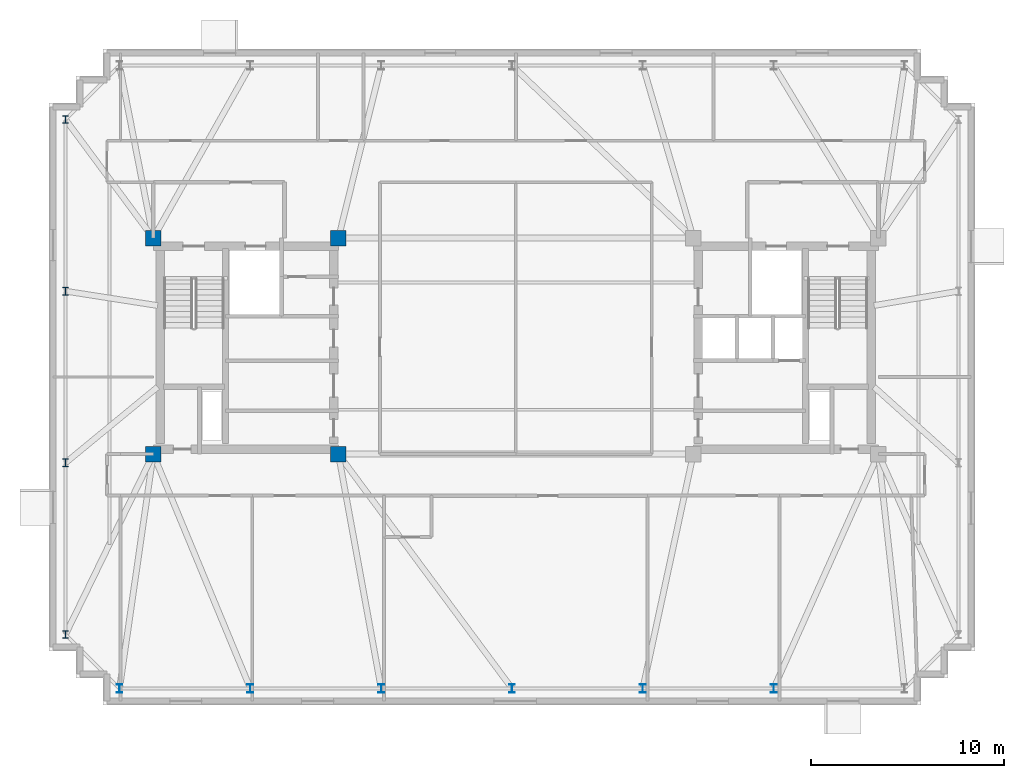
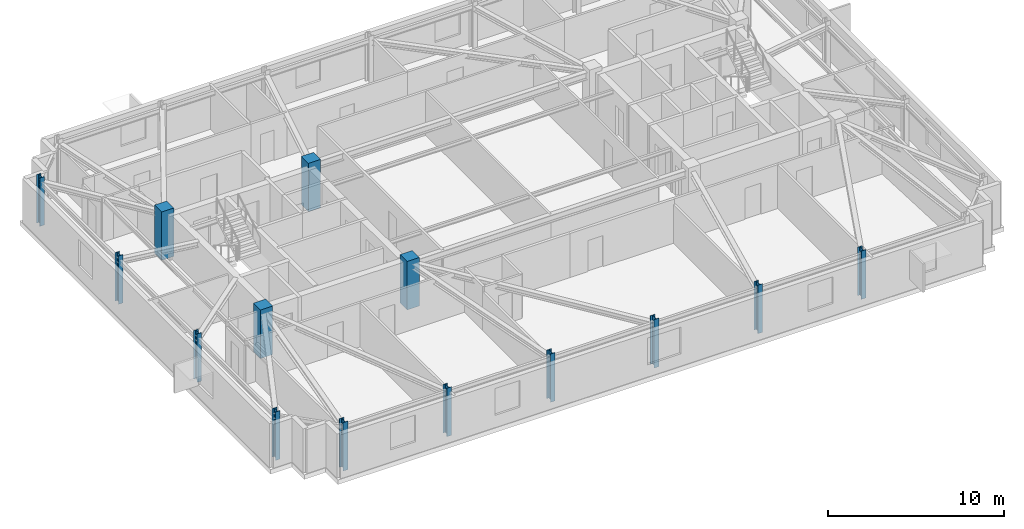
# One storey, part 1 of 10: 14 columns.
"""IFC4 building model written with IfcOpenShell, lengths in metres."""

from ifc_helpers import new_model, si_unit, direction, frame, origin, origin_2d, place, context, subcontext, project, spatial, rectangle, i_section, extrude, material, material_profile, profile_set, type_object, element, save


model = new_model("IFC4")

# Units and contexts
model_context = context("Model", 3, precision=1e-05, world=origin(), true_north=direction((0.0, 1.0)))
body_context = subcontext(model_context, "Body", "Model", "MODEL_VIEW")
ifc_project = project(units=[si_unit("LENGTHUNIT", "METRE"), si_unit("AREAUNIT", "SQUARE_METRE"), si_unit("VOLUMEUNIT", "CUBIC_METRE"), si_unit("PLANEANGLEUNIT", "RADIAN"), si_unit("MASSUNIT", "GRAM", prefix="KILO")], contexts=[model_context])

# Site, building, storey
site_placement = place(None, origin())
site = spatial("IfcSite", under=ifc_project, at=site_placement, CompositionType="ELEMENT")
building_placement = place(site_placement, origin())
building = spatial("IfcBuilding", under=site, at=building_placement, Name="Qobustan Lattice House", CompositionType="ELEMENT")
storey_placement = place(building_placement, frame((0.0, 0.0, 231.64990234375)))
storey = spatial("IfcBuildingStorey", under=building, at=storey_placement, Name="L65", CompositionType="ELEMENT", Elevation=231.64990234375)

# Columns
ifc_material_1 = material(Name="Concrete C50/60", Category="concrete")
ifc_material_profile_1 = material_profile(ifc_material_1, rectangle(XDim=0.800048828125, YDim=0.800048828125, at=origin_2d()), Name="RC800x800")
ifc_profile_set_1 = profile_set([ifc_material_profile_1], Name="Concrete C50/60")
column_type_1 = type_object("IfcColumnType", Name="COL-RC-800", PredefinedType="COLUMN", material=ifc_profile_set_1)
for number, where, z_axis, x_axis, name in (
    (1, (-18.800048828125, -5.60009765625, 0.0), (0.0, 0.0, 1.0), (1.0, 0.0, 0.0), "L65 core mega-column CW-SW"),
    (2, (-18.800048828125, 5.60009765625, 0.0), (0.0, 0.0, 1.0), (1.0, 0.0, 0.0), "L65 core mega-column CW-NW"),
    (3, (-9.199951171875, -5.60009765625, 0.0), (0.0, 0.0, 1.0), (1.0, 0.0, 0.0), "L65 core mega-column CW-SE"),
    (4, (-9.199951171875, 5.60009765625, 0.0), (0.0, 0.0, 1.0), (1.0, 0.0, 0.0), "L65 core mega-column CW-NE"),
):
    element("IfcColumn", number, at=place(storey_placement, frame(where, z_axis=z_axis, x_axis=x_axis)), inside=storey, type_object=column_type_1, Name=name, PredefinedType="COLUMN", context=body_context, shape_type="SweptSolid", body=[
        extrude(rectangle(XDim=0.800048828125, YDim=0.800048828125, at=origin_2d()), origin(), (0.0, 0.0, 1.0), 3.35009765625),
    ])
ifc_material_2 = material(Name="Steel S355", Category="steel")
ifc_material_profile_2 = material_profile(ifc_material_2, i_section(OverallWidth=0.300048828125, OverallDepth=0.39990234375, WebThickness=0.013427734375, FlangeThickness=0.02392578125, FilletRadius=0.027099609375, at=origin_2d()), Name="HEB400")
ifc_profile_set_2 = profile_set([ifc_material_profile_2], Name="Steel S355")
column_type_2 = type_object("IfcColumnType", Name="COL-ST-HEB400", PredefinedType="COLUMN", material=ifc_profile_set_2)
for number, where, z_axis, x_axis, name in (
    (5, (-23.35009765625, 11.75, 0.0), (0.0, 0.0, 1.0), (1.0, 0.0, 0.0), "L65 B5 perimeter column W1"),
    (6, (-23.35009765625, 2.85009765625, 0.0), (0.0, 0.0, 1.0), (1.0, 0.0, 0.0), "L65 B5 perimeter column W2"),
    (7, (-23.35009765625, -6.050048828125, 0.0), (0.0, 0.0, 1.0), (1.0, 0.0, 0.0), "L65 B5 perimeter column W3"),
    (8, (-23.35009765625, -14.949951171875, 0.0), (0.0, 0.0, 1.0), (1.0, 0.0, 0.0), "L65 B5 perimeter column W4"),
):
    element("IfcColumn", number, at=place(storey_placement, frame(where, z_axis=z_axis, x_axis=x_axis)), inside=storey, type_object=column_type_2, Name=name, PredefinedType="COLUMN", context=body_context, shape_type="SweptSolid", body=[
        extrude(i_section(OverallWidth=0.300048828125, OverallDepth=0.39990234375, WebThickness=0.013427734375, FlangeThickness=0.02392578125, FilletRadius=0.027099609375, at=origin_2d()), origin(), (0.0, 0.0, 1.0), 3.35009765625),
    ])
ifc_material_3 = material(Name="Steel S355", Category="steel")
ifc_material_profile_3 = material_profile(ifc_material_3, i_section(OverallWidth=0.300048828125, OverallDepth=0.449951171875, WebThickness=0.013916015625, FlangeThickness=0.02587890625, FilletRadius=0.027099609375, at=origin_2d()), Name="HEB450")
ifc_profile_set_3 = profile_set([ifc_material_profile_3], Name="Steel S355")
column_type_3 = type_object("IfcColumnType", Name="COL-ST-HEB450", PredefinedType="COLUMN", material=ifc_profile_set_3)
for number, where, z_axis, x_axis, name in (
    (9, (-20.550048828125, -17.75, 0.0), (0.0, 0.0, 1.0), (1.0, 0.0, 0.0), "L65 B5 perimeter column S1"),
    (10, (-13.7666015625, -17.75, 0.0), (0.0, 0.0, 1.0), (1.0, 0.0, 0.0), "L65 B5 perimeter column S2"),
    (11, (-6.9833984375, -17.75, 0.0), (0.0, 0.0, 1.0), (1.0, 0.0, 0.0), "L65 B5 perimeter column S3"),
    (12, (-0.199951171875, -17.75, 0.0), (0.0, 0.0, 1.0), (1.0, 0.0, 0.0), "L65 B5 perimeter column S4"),
    (13, (6.583251953125, -17.75, 0.0), (0.0, 0.0, 1.0), (1.0, 0.0, 0.0), "L65 B5 perimeter column S5"),
    (14, (13.36669921875, -17.75, 0.0), (0.0, 0.0, 1.0), (1.0, 0.0, 0.0), "L65 B5 perimeter column S6"),
):
    element("IfcColumn", number, at=place(storey_placement, frame(where, z_axis=z_axis, x_axis=x_axis)), inside=storey, type_object=column_type_3, Name=name, PredefinedType="COLUMN", context=body_context, shape_type="SweptSolid", body=[
        extrude(i_section(OverallWidth=0.300048828125, OverallDepth=0.449951171875, WebThickness=0.013916015625, FlangeThickness=0.02587890625, FilletRadius=0.027099609375, at=origin_2d()), origin(), (0.0, 0.0, 1.0), 3.35009765625),
    ])

save(model, "model.ifc")
